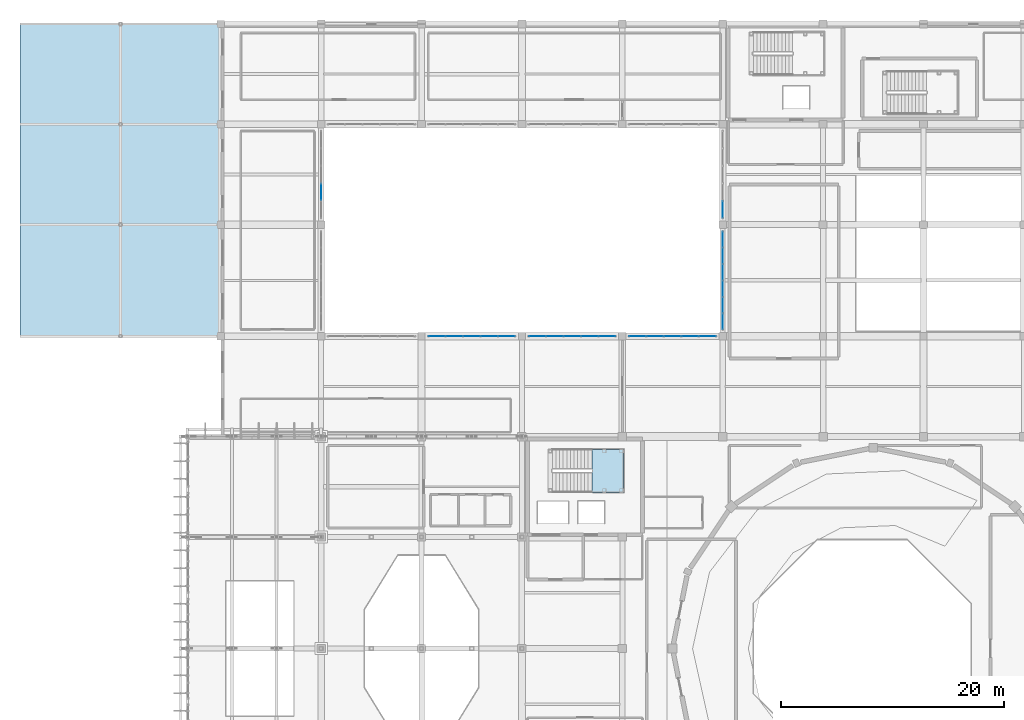
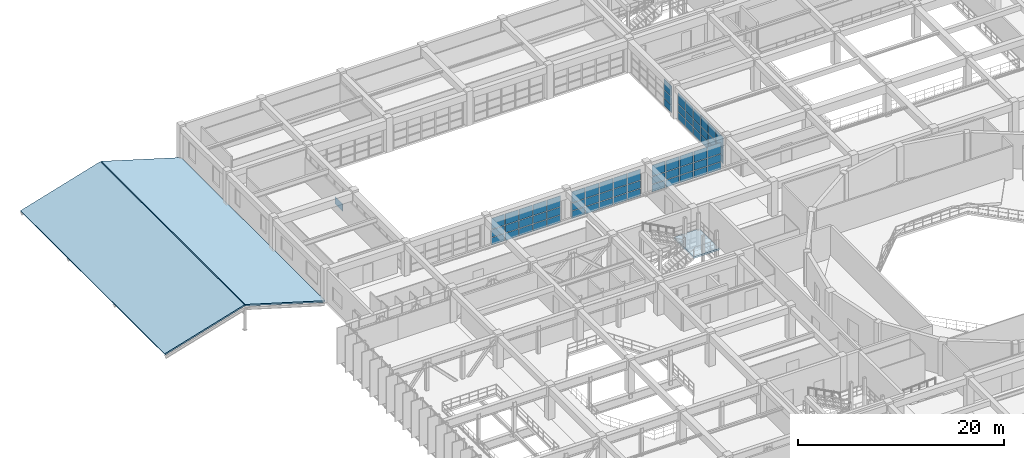
# One storey, part 95 of 130: 67 plates, 3 slabs, 7 elements without a shape of their own.
"""IFC4 building model written with IfcOpenShell, lengths in metres."""

from ifc_helpers import new_model, si_unit, direction, frame, origin, origin_2d, place, context, subcontext, project, spatial, polyline, rectangle, outline, extrude, material, layer, layer_set, type_object, element, aggregate, save


model = new_model("IFC4")

# Units and contexts
model_context = context("Model", 3, precision=1e-05, world=origin(), true_north=direction((0.0, 1.0)))
body_context = subcontext(model_context, "Body", "Model", "MODEL_VIEW")
ifc_project = project(units=[si_unit("LENGTHUNIT", "METRE"), si_unit("AREAUNIT", "SQUARE_METRE"), si_unit("VOLUMEUNIT", "CUBIC_METRE"), si_unit("PLANEANGLEUNIT", "RADIAN"), si_unit("MASSUNIT", "GRAM", prefix="KILO")], contexts=[model_context])

# Site, building, storey
site_placement = place(None, origin())
site = spatial("IfcSite", under=ifc_project, at=site_placement, CompositionType="ELEMENT")
building_placement = place(site_placement, origin())
building = spatial("IfcBuilding", under=site, at=building_placement, Name="Miravela Opera House", CompositionType="ELEMENT")
storey_placement = place(building_placement, frame((0.0, 0.0, 9.52001953125)))
storey = spatial("IfcBuildingStorey", under=building, at=storey_placement, Name="L02", CompositionType="ELEMENT", Elevation=9.52001953125)

# Curtain wall, plates
ifc_material_1 = material(Name="Anodised architectural bronze aluminium 6063-T6", Category="aluminium")
curtain_wall_type = type_object("IfcCurtainWallType", Name="ARC-CW-05", PredefinedType="NOTDEFINED", material=ifc_material_1)
curtain_wall_1_placement = place(storey_placement, origin())
curtain_wall_1 = element("IfcCurtainWall", 1, at=curtain_wall_1_placement, inside=storey, type_object=curtain_wall_type, Name="Courtyard Arcade Curtain Wall CW-L02-091", PredefinedType="NOTDEFINED")
ifc_material_2 = material(Name="Acoustic laminated low-E insulating glass", Category="glass")
ifc_layer_1 = layer(ifc_material_2, 0.028076171875)
ifc_layer_set_1 = layer_set([ifc_layer_1])
plate_type = type_object("IfcPlateType", Name="ARC-CWP-28", PredefinedType="CURTAIN_PANEL", material=ifc_layer_set_1)
plate_1_placement = place(storey_placement, frame((37.37890625, 84.0, 0.06005859375), z_axis=(0.0, 0.0, 1.0), x_axis=(1.0, 0.0, 0.0)))
plate_1 = element("IfcPlate", 2, at=plate_1_placement, type_object=plate_type, Name="CW-05 panel 1.1", PredefinedType="CURTAIN_PANEL", context=body_context, shape_type="SweptSolid", body=[
    extrude(rectangle(XDim=1.47802734375, YDim=0.028076171875, at=origin_2d()), origin(), (0.0, 0.0, 1.0), 0.860107421875),
])
plate_2_placement = place(storey_placement, frame((37.37890625, 84.0, 0.97998046875), z_axis=(0.0, 0.0, 1.0), x_axis=(1.0, 0.0, 0.0)))
plate_2 = element("IfcPlate", 3, at=plate_2_placement, type_object=plate_type, Name="CW-05 panel 1.2", PredefinedType="CURTAIN_PANEL", context=body_context, shape_type="SweptSolid", body=[
    extrude(rectangle(XDim=1.47802734375, YDim=0.028076171875, at=origin_2d()), origin(), (0.0, 0.0, 1.0), 0.898193359375),
])
plate_3_placement = place(storey_placement, frame((37.37890625, 84.0, 1.93798828125), z_axis=(0.0, 0.0, 1.0), x_axis=(1.0, 0.0, 0.0)))
plate_3 = element("IfcPlate", 4, at=plate_3_placement, type_object=plate_type, Name="CW-05 panel 1.3", PredefinedType="CURTAIN_PANEL", context=body_context, shape_type="SweptSolid", body=[
    extrude(rectangle(XDim=1.47802734375, YDim=0.028076171875, at=origin_2d()), origin(), (0.0, 0.0, 1.0), 1.291748046875),
])
plate_4_placement = place(storey_placement, frame((38.931884765625, 84.0, 0.06005859375), z_axis=(0.0, 0.0, 1.0), x_axis=(1.0, 0.0, 0.0)))
plate_4 = element("IfcPlate", 5, at=plate_4_placement, type_object=plate_type, Name="CW-05 panel 2.1", PredefinedType="CURTAIN_PANEL", context=body_context, shape_type="SweptSolid", body=[
    extrude(rectangle(XDim=1.508056640625, YDim=0.028076171875, at=origin_2d()), origin(), (0.0, 0.0, 1.0), 0.860107421875),
])
plate_5_placement = place(storey_placement, frame((38.931884765625, 84.0, 0.97998046875), z_axis=(0.0, 0.0, 1.0), x_axis=(1.0, 0.0, 0.0)))
plate_5 = element("IfcPlate", 6, at=plate_5_placement, type_object=plate_type, Name="CW-05 panel 2.2", PredefinedType="CURTAIN_PANEL", context=body_context, shape_type="SweptSolid", body=[
    extrude(rectangle(XDim=1.508056640625, YDim=0.028076171875, at=origin_2d()), origin(), (0.0, 0.0, 1.0), 0.898193359375),
])
plate_6_placement = place(storey_placement, frame((38.931884765625, 84.0, 1.93798828125), z_axis=(0.0, 0.0, 1.0), x_axis=(1.0, 0.0, 0.0)))
plate_6 = element("IfcPlate", 7, at=plate_6_placement, type_object=plate_type, Name="CW-05 panel 2.3", PredefinedType="CURTAIN_PANEL", context=body_context, shape_type="SweptSolid", body=[
    extrude(rectangle(XDim=1.508056640625, YDim=0.028076171875, at=origin_2d()), origin(), (0.0, 0.0, 1.0), 1.291748046875),
])
plate_7_placement = place(storey_placement, frame((40.5, 84.0, 0.06005859375), z_axis=(0.0, 0.0, 1.0), x_axis=(1.0, 0.0, 0.0)))
plate_7 = element("IfcPlate", 8, at=plate_7_placement, type_object=plate_type, Name="CW-05 panel 3.1", PredefinedType="CURTAIN_PANEL", context=body_context, shape_type="SweptSolid", body=[
    extrude(rectangle(XDim=1.508056640625, YDim=0.028076171875, at=origin_2d()), origin(), (0.0, 0.0, 1.0), 0.860107421875),
])
plate_8_placement = place(storey_placement, frame((40.5, 84.0, 0.97998046875), z_axis=(0.0, 0.0, 1.0), x_axis=(1.0, 0.0, 0.0)))
plate_8 = element("IfcPlate", 9, at=plate_8_placement, type_object=plate_type, Name="CW-05 panel 3.2", PredefinedType="CURTAIN_PANEL", context=body_context, shape_type="SweptSolid", body=[
    extrude(rectangle(XDim=1.508056640625, YDim=0.028076171875, at=origin_2d()), origin(), (0.0, 0.0, 1.0), 0.898193359375),
])
plate_9_placement = place(storey_placement, frame((40.5, 84.0, 1.93798828125), z_axis=(0.0, 0.0, 1.0), x_axis=(1.0, 0.0, 0.0)))
plate_9 = element("IfcPlate", 10, at=plate_9_placement, type_object=plate_type, Name="CW-05 panel 3.3", PredefinedType="CURTAIN_PANEL", context=body_context, shape_type="SweptSolid", body=[
    extrude(rectangle(XDim=1.508056640625, YDim=0.028076171875, at=origin_2d()), origin(), (0.0, 0.0, 1.0), 1.291748046875),
])
plate_10_placement = place(storey_placement, frame((42.068115234375, 84.0, 0.06005859375), z_axis=(0.0, 0.0, 1.0), x_axis=(1.0, 0.0, 0.0)))
plate_10 = element("IfcPlate", 11, at=plate_10_placement, type_object=plate_type, Name="CW-05 panel 4.1", PredefinedType="CURTAIN_PANEL", context=body_context, shape_type="SweptSolid", body=[
    extrude(rectangle(XDim=1.508056640625, YDim=0.028076171875, at=origin_2d()), origin(), (0.0, 0.0, 1.0), 0.860107421875),
])
plate_11_placement = place(storey_placement, frame((42.068115234375, 84.0, 0.97998046875), z_axis=(0.0, 0.0, 1.0), x_axis=(1.0, 0.0, 0.0)))
plate_11 = element("IfcPlate", 12, at=plate_11_placement, type_object=plate_type, Name="CW-05 panel 4.2", PredefinedType="CURTAIN_PANEL", context=body_context, shape_type="SweptSolid", body=[
    extrude(rectangle(XDim=1.508056640625, YDim=0.028076171875, at=origin_2d()), origin(), (0.0, 0.0, 1.0), 0.898193359375),
])
plate_12_placement = place(storey_placement, frame((42.068115234375, 84.0, 1.93798828125), z_axis=(0.0, 0.0, 1.0), x_axis=(1.0, 0.0, 0.0)))
plate_12 = element("IfcPlate", 13, at=plate_12_placement, type_object=plate_type, Name="CW-05 panel 4.3", PredefinedType="CURTAIN_PANEL", context=body_context, shape_type="SweptSolid", body=[
    extrude(rectangle(XDim=1.508056640625, YDim=0.028076171875, at=origin_2d()), origin(), (0.0, 0.0, 1.0), 1.291748046875),
])
plate_13_placement = place(storey_placement, frame((43.62109375, 84.0, 0.06005859375), z_axis=(0.0, 0.0, 1.0), x_axis=(1.0, 0.0, 0.0)))
plate_13 = element("IfcPlate", 14, at=plate_13_placement, type_object=plate_type, Name="CW-05 panel 5.1", PredefinedType="CURTAIN_PANEL", context=body_context, shape_type="SweptSolid", body=[
    extrude(rectangle(XDim=1.47802734375, YDim=0.028076171875, at=origin_2d()), origin(), (0.0, 0.0, 1.0), 0.860107421875),
])
plate_14_placement = place(storey_placement, frame((43.62109375, 84.0, 0.97998046875), z_axis=(0.0, 0.0, 1.0), x_axis=(1.0, 0.0, 0.0)))
plate_14 = element("IfcPlate", 15, at=plate_14_placement, type_object=plate_type, Name="CW-05 panel 5.2", PredefinedType="CURTAIN_PANEL", context=body_context, shape_type="SweptSolid", body=[
    extrude(rectangle(XDim=1.47802734375, YDim=0.028076171875, at=origin_2d()), origin(), (0.0, 0.0, 1.0), 0.898193359375),
])
plate_15_placement = place(storey_placement, frame((43.62109375, 84.0, 1.93798828125), z_axis=(0.0, 0.0, 1.0), x_axis=(1.0, 0.0, 0.0)))
plate_15 = element("IfcPlate", 16, at=plate_15_placement, type_object=plate_type, Name="CW-05 panel 5.3", PredefinedType="CURTAIN_PANEL", context=body_context, shape_type="SweptSolid", body=[
    extrude(rectangle(XDim=1.47802734375, YDim=0.028076171875, at=origin_2d()), origin(), (0.0, 0.0, 1.0), 1.291748046875),
])
aggregate(curtain_wall_1, [plate_1, plate_2, plate_3, plate_4, plate_5, plate_6, plate_7, plate_8, plate_9, plate_10, plate_11, plate_12, plate_13, plate_14, plate_15])

curtain_wall_2_placement = place(storey_placement, origin())
curtain_wall_2 = element("IfcCurtainWall", 17, at=curtain_wall_2_placement, inside=storey, type_object=curtain_wall_type, Name="Courtyard Arcade Curtain Wall CW-L02-093", PredefinedType="NOTDEFINED")
plate_16_placement = place(storey_placement, frame((46.37890625, 84.0, 0.06005859375), z_axis=(0.0, 0.0, 1.0), x_axis=(1.0, 0.0, 0.0)))
plate_16 = element("IfcPlate", 18, at=plate_16_placement, type_object=plate_type, Name="CW-05 panel 1.1", PredefinedType="CURTAIN_PANEL", context=body_context, shape_type="SweptSolid", body=[
    extrude(rectangle(XDim=1.47802734375, YDim=0.028076171875, at=origin_2d()), origin(), (0.0, 0.0, 1.0), 0.860107421875),
])
plate_17_placement = place(storey_placement, frame((46.37890625, 84.0, 0.97998046875), z_axis=(0.0, 0.0, 1.0), x_axis=(1.0, 0.0, 0.0)))
plate_17 = element("IfcPlate", 19, at=plate_17_placement, type_object=plate_type, Name="CW-05 panel 1.2", PredefinedType="CURTAIN_PANEL", context=body_context, shape_type="SweptSolid", body=[
    extrude(rectangle(XDim=1.47802734375, YDim=0.028076171875, at=origin_2d()), origin(), (0.0, 0.0, 1.0), 0.898193359375),
])
plate_18_placement = place(storey_placement, frame((46.37890625, 84.0, 1.93798828125), z_axis=(0.0, 0.0, 1.0), x_axis=(1.0, 0.0, 0.0)))
plate_18 = element("IfcPlate", 20, at=plate_18_placement, type_object=plate_type, Name="CW-05 panel 1.3", PredefinedType="CURTAIN_PANEL", context=body_context, shape_type="SweptSolid", body=[
    extrude(rectangle(XDim=1.47802734375, YDim=0.028076171875, at=origin_2d()), origin(), (0.0, 0.0, 1.0), 1.291748046875),
])
plate_19_placement = place(storey_placement, frame((47.931884765625, 84.0, 0.06005859375), z_axis=(0.0, 0.0, 1.0), x_axis=(1.0, 0.0, 0.0)))
plate_19 = element("IfcPlate", 21, at=plate_19_placement, type_object=plate_type, Name="CW-05 panel 2.1", PredefinedType="CURTAIN_PANEL", context=body_context, shape_type="SweptSolid", body=[
    extrude(rectangle(XDim=1.508056640625, YDim=0.028076171875, at=origin_2d()), origin(), (0.0, 0.0, 1.0), 0.860107421875),
])
plate_20_placement = place(storey_placement, frame((47.931884765625, 84.0, 0.97998046875), z_axis=(0.0, 0.0, 1.0), x_axis=(1.0, 0.0, 0.0)))
plate_20 = element("IfcPlate", 22, at=plate_20_placement, type_object=plate_type, Name="CW-05 panel 2.2", PredefinedType="CURTAIN_PANEL", context=body_context, shape_type="SweptSolid", body=[
    extrude(rectangle(XDim=1.508056640625, YDim=0.028076171875, at=origin_2d()), origin(), (0.0, 0.0, 1.0), 0.898193359375),
])
plate_21_placement = place(storey_placement, frame((47.931884765625, 84.0, 1.93798828125), z_axis=(0.0, 0.0, 1.0), x_axis=(1.0, 0.0, 0.0)))
plate_21 = element("IfcPlate", 23, at=plate_21_placement, type_object=plate_type, Name="CW-05 panel 2.3", PredefinedType="CURTAIN_PANEL", context=body_context, shape_type="SweptSolid", body=[
    extrude(rectangle(XDim=1.508056640625, YDim=0.028076171875, at=origin_2d()), origin(), (0.0, 0.0, 1.0), 1.291748046875),
])
plate_22_placement = place(storey_placement, frame((49.5, 84.0, 0.06005859375), z_axis=(0.0, 0.0, 1.0), x_axis=(1.0, 0.0, 0.0)))
plate_22 = element("IfcPlate", 24, at=plate_22_placement, type_object=plate_type, Name="CW-05 panel 3.1", PredefinedType="CURTAIN_PANEL", context=body_context, shape_type="SweptSolid", body=[
    extrude(rectangle(XDim=1.508056640625, YDim=0.028076171875, at=origin_2d()), origin(), (0.0, 0.0, 1.0), 0.860107421875),
])
plate_23_placement = place(storey_placement, frame((49.5, 84.0, 0.97998046875), z_axis=(0.0, 0.0, 1.0), x_axis=(1.0, 0.0, 0.0)))
plate_23 = element("IfcPlate", 25, at=plate_23_placement, type_object=plate_type, Name="CW-05 panel 3.2", PredefinedType="CURTAIN_PANEL", context=body_context, shape_type="SweptSolid", body=[
    extrude(rectangle(XDim=1.508056640625, YDim=0.028076171875, at=origin_2d()), origin(), (0.0, 0.0, 1.0), 0.898193359375),
])
plate_24_placement = place(storey_placement, frame((49.5, 84.0, 1.93798828125), z_axis=(0.0, 0.0, 1.0), x_axis=(1.0, 0.0, 0.0)))
plate_24 = element("IfcPlate", 26, at=plate_24_placement, type_object=plate_type, Name="CW-05 panel 3.3", PredefinedType="CURTAIN_PANEL", context=body_context, shape_type="SweptSolid", body=[
    extrude(rectangle(XDim=1.508056640625, YDim=0.028076171875, at=origin_2d()), origin(), (0.0, 0.0, 1.0), 1.291748046875),
])
plate_25_placement = place(storey_placement, frame((51.068115234375, 84.0, 0.06005859375), z_axis=(0.0, 0.0, 1.0), x_axis=(1.0, 0.0, 0.0)))
plate_25 = element("IfcPlate", 27, at=plate_25_placement, type_object=plate_type, Name="CW-05 panel 4.1", PredefinedType="CURTAIN_PANEL", context=body_context, shape_type="SweptSolid", body=[
    extrude(rectangle(XDim=1.508056640625, YDim=0.028076171875, at=origin_2d()), origin(), (0.0, 0.0, 1.0), 0.860107421875),
])
plate_26_placement = place(storey_placement, frame((51.068115234375, 84.0, 0.97998046875), z_axis=(0.0, 0.0, 1.0), x_axis=(1.0, 0.0, 0.0)))
plate_26 = element("IfcPlate", 28, at=plate_26_placement, type_object=plate_type, Name="CW-05 panel 4.2", PredefinedType="CURTAIN_PANEL", context=body_context, shape_type="SweptSolid", body=[
    extrude(rectangle(XDim=1.508056640625, YDim=0.028076171875, at=origin_2d()), origin(), (0.0, 0.0, 1.0), 0.898193359375),
])
plate_27_placement = place(storey_placement, frame((51.068115234375, 84.0, 1.93798828125), z_axis=(0.0, 0.0, 1.0), x_axis=(1.0, 0.0, 0.0)))
plate_27 = element("IfcPlate", 29, at=plate_27_placement, type_object=plate_type, Name="CW-05 panel 4.3", PredefinedType="CURTAIN_PANEL", context=body_context, shape_type="SweptSolid", body=[
    extrude(rectangle(XDim=1.508056640625, YDim=0.028076171875, at=origin_2d()), origin(), (0.0, 0.0, 1.0), 1.291748046875),
])
plate_28_placement = place(storey_placement, frame((52.62109375, 84.0, 0.06005859375), z_axis=(0.0, 0.0, 1.0), x_axis=(1.0, 0.0, 0.0)))
plate_28 = element("IfcPlate", 30, at=plate_28_placement, type_object=plate_type, Name="CW-05 panel 5.1", PredefinedType="CURTAIN_PANEL", context=body_context, shape_type="SweptSolid", body=[
    extrude(rectangle(XDim=1.47802734375, YDim=0.028076171875, at=origin_2d()), origin(), (0.0, 0.0, 1.0), 0.860107421875),
])
plate_29_placement = place(storey_placement, frame((52.62109375, 84.0, 0.97998046875), z_axis=(0.0, 0.0, 1.0), x_axis=(1.0, 0.0, 0.0)))
plate_29 = element("IfcPlate", 31, at=plate_29_placement, type_object=plate_type, Name="CW-05 panel 5.2", PredefinedType="CURTAIN_PANEL", context=body_context, shape_type="SweptSolid", body=[
    extrude(rectangle(XDim=1.47802734375, YDim=0.028076171875, at=origin_2d()), origin(), (0.0, 0.0, 1.0), 0.898193359375),
])
plate_30_placement = place(storey_placement, frame((52.62109375, 84.0, 1.93798828125), z_axis=(0.0, 0.0, 1.0), x_axis=(1.0, 0.0, 0.0)))
plate_30 = element("IfcPlate", 32, at=plate_30_placement, type_object=plate_type, Name="CW-05 panel 5.3", PredefinedType="CURTAIN_PANEL", context=body_context, shape_type="SweptSolid", body=[
    extrude(rectangle(XDim=1.47802734375, YDim=0.028076171875, at=origin_2d()), origin(), (0.0, 0.0, 1.0), 1.291748046875),
])
aggregate(curtain_wall_2, [plate_16, plate_17, plate_18, plate_19, plate_20, plate_21, plate_22, plate_23, plate_24, plate_25, plate_26, plate_27, plate_28, plate_29, plate_30])

curtain_wall_3_placement = place(storey_placement, origin())
curtain_wall_3 = element("IfcCurtainWall", 33, at=curtain_wall_3_placement, inside=storey, type_object=curtain_wall_type, Name="Courtyard Arcade Curtain Wall CW-L02-095", PredefinedType="NOTDEFINED")
plate_31_placement = place(storey_placement, frame((55.37890625, 84.0, 0.06005859375), z_axis=(0.0, 0.0, 1.0), x_axis=(1.0, 0.0, 0.0)))
plate_31 = element("IfcPlate", 34, at=plate_31_placement, type_object=plate_type, Name="CW-05 panel 1.1", PredefinedType="CURTAIN_PANEL", context=body_context, shape_type="SweptSolid", body=[
    extrude(rectangle(XDim=1.47802734375, YDim=0.028076171875, at=origin_2d()), origin(), (0.0, 0.0, 1.0), 0.860107421875),
])
plate_32_placement = place(storey_placement, frame((55.37890625, 84.0, 0.97998046875), z_axis=(0.0, 0.0, 1.0), x_axis=(1.0, 0.0, 0.0)))
plate_32 = element("IfcPlate", 35, at=plate_32_placement, type_object=plate_type, Name="CW-05 panel 1.2", PredefinedType="CURTAIN_PANEL", context=body_context, shape_type="SweptSolid", body=[
    extrude(rectangle(XDim=1.47802734375, YDim=0.028076171875, at=origin_2d()), origin(), (0.0, 0.0, 1.0), 0.898193359375),
])
plate_33_placement = place(storey_placement, frame((55.37890625, 84.0, 1.93798828125), z_axis=(0.0, 0.0, 1.0), x_axis=(1.0, 0.0, 0.0)))
plate_33 = element("IfcPlate", 36, at=plate_33_placement, type_object=plate_type, Name="CW-05 panel 1.3", PredefinedType="CURTAIN_PANEL", context=body_context, shape_type="SweptSolid", body=[
    extrude(rectangle(XDim=1.47802734375, YDim=0.028076171875, at=origin_2d()), origin(), (0.0, 0.0, 1.0), 1.291748046875),
])
plate_34_placement = place(storey_placement, frame((56.931884765625, 84.0, 0.06005859375), z_axis=(0.0, 0.0, 1.0), x_axis=(1.0, 0.0, 0.0)))
plate_34 = element("IfcPlate", 37, at=plate_34_placement, type_object=plate_type, Name="CW-05 panel 2.1", PredefinedType="CURTAIN_PANEL", context=body_context, shape_type="SweptSolid", body=[
    extrude(rectangle(XDim=1.508056640625, YDim=0.028076171875, at=origin_2d()), origin(), (0.0, 0.0, 1.0), 0.860107421875),
])
plate_35_placement = place(storey_placement, frame((56.931884765625, 84.0, 0.97998046875), z_axis=(0.0, 0.0, 1.0), x_axis=(1.0, 0.0, 0.0)))
plate_35 = element("IfcPlate", 38, at=plate_35_placement, type_object=plate_type, Name="CW-05 panel 2.2", PredefinedType="CURTAIN_PANEL", context=body_context, shape_type="SweptSolid", body=[
    extrude(rectangle(XDim=1.508056640625, YDim=0.028076171875, at=origin_2d()), origin(), (0.0, 0.0, 1.0), 0.898193359375),
])
plate_36_placement = place(storey_placement, frame((56.931884765625, 84.0, 1.93798828125), z_axis=(0.0, 0.0, 1.0), x_axis=(1.0, 0.0, 0.0)))
plate_36 = element("IfcPlate", 39, at=plate_36_placement, type_object=plate_type, Name="CW-05 panel 2.3", PredefinedType="CURTAIN_PANEL", context=body_context, shape_type="SweptSolid", body=[
    extrude(rectangle(XDim=1.508056640625, YDim=0.028076171875, at=origin_2d()), origin(), (0.0, 0.0, 1.0), 1.291748046875),
])
plate_37_placement = place(storey_placement, frame((58.5, 84.0, 0.06005859375), z_axis=(0.0, 0.0, 1.0), x_axis=(1.0, 0.0, 0.0)))
plate_37 = element("IfcPlate", 40, at=plate_37_placement, type_object=plate_type, Name="CW-05 panel 3.1", PredefinedType="CURTAIN_PANEL", context=body_context, shape_type="SweptSolid", body=[
    extrude(rectangle(XDim=1.508056640625, YDim=0.028076171875, at=origin_2d()), origin(), (0.0, 0.0, 1.0), 0.860107421875),
])
plate_38_placement = place(storey_placement, frame((58.5, 84.0, 0.97998046875), z_axis=(0.0, 0.0, 1.0), x_axis=(1.0, 0.0, 0.0)))
plate_38 = element("IfcPlate", 41, at=plate_38_placement, type_object=plate_type, Name="CW-05 panel 3.2", PredefinedType="CURTAIN_PANEL", context=body_context, shape_type="SweptSolid", body=[
    extrude(rectangle(XDim=1.508056640625, YDim=0.028076171875, at=origin_2d()), origin(), (0.0, 0.0, 1.0), 0.898193359375),
])
plate_39_placement = place(storey_placement, frame((58.5, 84.0, 1.93798828125), z_axis=(0.0, 0.0, 1.0), x_axis=(1.0, 0.0, 0.0)))
plate_39 = element("IfcPlate", 42, at=plate_39_placement, type_object=plate_type, Name="CW-05 panel 3.3", PredefinedType="CURTAIN_PANEL", context=body_context, shape_type="SweptSolid", body=[
    extrude(rectangle(XDim=1.508056640625, YDim=0.028076171875, at=origin_2d()), origin(), (0.0, 0.0, 1.0), 1.291748046875),
])
plate_40_placement = place(storey_placement, frame((60.068115234375, 84.0, 0.06005859375), z_axis=(0.0, 0.0, 1.0), x_axis=(1.0, 0.0, 0.0)))
plate_40 = element("IfcPlate", 43, at=plate_40_placement, type_object=plate_type, Name="CW-05 panel 4.1", PredefinedType="CURTAIN_PANEL", context=body_context, shape_type="SweptSolid", body=[
    extrude(rectangle(XDim=1.508056640625, YDim=0.028076171875, at=origin_2d()), origin(), (0.0, 0.0, 1.0), 0.860107421875),
])
plate_41_placement = place(storey_placement, frame((60.068115234375, 84.0, 0.97998046875), z_axis=(0.0, 0.0, 1.0), x_axis=(1.0, 0.0, 0.0)))
plate_41 = element("IfcPlate", 44, at=plate_41_placement, type_object=plate_type, Name="CW-05 panel 4.2", PredefinedType="CURTAIN_PANEL", context=body_context, shape_type="SweptSolid", body=[
    extrude(rectangle(XDim=1.508056640625, YDim=0.028076171875, at=origin_2d()), origin(), (0.0, 0.0, 1.0), 0.898193359375),
])
plate_42_placement = place(storey_placement, frame((60.068115234375, 84.0, 1.93798828125), z_axis=(0.0, 0.0, 1.0), x_axis=(1.0, 0.0, 0.0)))
plate_42 = element("IfcPlate", 45, at=plate_42_placement, type_object=plate_type, Name="CW-05 panel 4.3", PredefinedType="CURTAIN_PANEL", context=body_context, shape_type="SweptSolid", body=[
    extrude(rectangle(XDim=1.508056640625, YDim=0.028076171875, at=origin_2d()), origin(), (0.0, 0.0, 1.0), 1.291748046875),
])
plate_43_placement = place(storey_placement, frame((61.62109375, 84.0, 0.06005859375), z_axis=(0.0, 0.0, 1.0), x_axis=(1.0, 0.0, 0.0)))
plate_43 = element("IfcPlate", 46, at=plate_43_placement, type_object=plate_type, Name="CW-05 panel 5.1", PredefinedType="CURTAIN_PANEL", context=body_context, shape_type="SweptSolid", body=[
    extrude(rectangle(XDim=1.47802734375, YDim=0.028076171875, at=origin_2d()), origin(), (0.0, 0.0, 1.0), 0.860107421875),
])
plate_44_placement = place(storey_placement, frame((61.62109375, 84.0, 0.97998046875), z_axis=(0.0, 0.0, 1.0), x_axis=(1.0, 0.0, 0.0)))
plate_44 = element("IfcPlate", 47, at=plate_44_placement, type_object=plate_type, Name="CW-05 panel 5.2", PredefinedType="CURTAIN_PANEL", context=body_context, shape_type="SweptSolid", body=[
    extrude(rectangle(XDim=1.47802734375, YDim=0.028076171875, at=origin_2d()), origin(), (0.0, 0.0, 1.0), 0.898193359375),
])
plate_45_placement = place(storey_placement, frame((61.62109375, 84.0, 1.93798828125), z_axis=(0.0, 0.0, 1.0), x_axis=(1.0, 0.0, 0.0)))
plate_45 = element("IfcPlate", 48, at=plate_45_placement, type_object=plate_type, Name="CW-05 panel 5.3", PredefinedType="CURTAIN_PANEL", context=body_context, shape_type="SweptSolid", body=[
    extrude(rectangle(XDim=1.47802734375, YDim=0.028076171875, at=origin_2d()), origin(), (0.0, 0.0, 1.0), 1.291748046875),
])
aggregate(curtain_wall_3, [plate_31, plate_32, plate_33, plate_34, plate_35, plate_36, plate_37, plate_38, plate_39, plate_40, plate_41, plate_42, plate_43, plate_44, plate_45])

# Curtain wall, plate
curtain_wall_4_placement = place(storey_placement, origin())
curtain_wall_4 = element("IfcCurtainWall", 49, at=curtain_wall_4_placement, inside=storey, type_object=curtain_wall_type, Name="Courtyard Arcade Curtain Wall CW-L02-098", PredefinedType="NOTDEFINED")
plate_46_placement = place(storey_placement, frame((27.0, 96.931884765625, 0.06005859375), z_axis=(0.0, 0.0, 1.0), x_axis=(0.0, 1.0, 0.0)))
plate_46 = element("IfcPlate", 50, at=plate_46_placement, type_object=plate_type, Name="CW-05 panel 2.1", PredefinedType="CURTAIN_PANEL", context=body_context, shape_type="SweptSolid", body=[
    extrude(rectangle(XDim=1.508056640625, YDim=0.028076171875, at=origin_2d()), origin(), (0.0, 0.0, 1.0), 0.860107421875),
])
aggregate(curtain_wall_4, [plate_46])

# Curtain wall, plates
curtain_wall_5_placement = place(storey_placement, origin())
curtain_wall_5 = element("IfcCurtainWall", 51, at=curtain_wall_5_placement, inside=storey, type_object=curtain_wall_type, Name="Courtyard Arcade Curtain Wall CW-L02-099", PredefinedType="NOTDEFINED")
plate_47_placement = place(storey_placement, frame((63.0, 85.331787109375, 0.06005859375), z_axis=(0.0, 0.0, 1.0), x_axis=(0.0, 1.0, 0.0)))
plate_47 = element("IfcPlate", 52, at=plate_47_placement, type_object=plate_type, Name="CW-05 panel 1.1", PredefinedType="CURTAIN_PANEL", context=body_context, shape_type="SweptSolid", body=[
    extrude(rectangle(XDim=1.38330078125, YDim=0.028076171875, at=origin_2d()), origin(), (0.0, 0.0, 1.0), 0.860107421875),
])
plate_48_placement = place(storey_placement, frame((63.0, 85.331787109375, 0.97998046875), z_axis=(0.0, 0.0, 1.0), x_axis=(0.0, 1.0, 0.0)))
plate_48 = element("IfcPlate", 53, at=plate_48_placement, type_object=plate_type, Name="CW-05 panel 1.2", PredefinedType="CURTAIN_PANEL", context=body_context, shape_type="SweptSolid", body=[
    extrude(rectangle(XDim=1.38330078125, YDim=0.028076171875, at=origin_2d()), origin(), (0.0, 0.0, 1.0), 0.898193359375),
])
plate_49_placement = place(storey_placement, frame((63.0, 85.331787109375, 1.93798828125), z_axis=(0.0, 0.0, 1.0), x_axis=(0.0, 1.0, 0.0)))
plate_49 = element("IfcPlate", 54, at=plate_49_placement, type_object=plate_type, Name="CW-05 panel 1.3", PredefinedType="CURTAIN_PANEL", context=body_context, shape_type="SweptSolid", body=[
    extrude(rectangle(XDim=1.38330078125, YDim=0.028076171875, at=origin_2d()), origin(), (0.0, 0.0, 1.0), 1.291748046875),
])
plate_50_placement = place(storey_placement, frame((63.0, 86.7900390625, 0.06005859375), z_axis=(0.0, 0.0, 1.0), x_axis=(0.0, 1.0, 0.0)))
plate_50 = element("IfcPlate", 55, at=plate_50_placement, type_object=plate_type, Name="CW-05 panel 2.1", PredefinedType="CURTAIN_PANEL", context=body_context, shape_type="SweptSolid", body=[
    extrude(rectangle(XDim=1.413330078125, YDim=0.028076171875, at=origin_2d()), origin(), (0.0, 0.0, 1.0), 0.860107421875),
])
plate_51_placement = place(storey_placement, frame((63.0, 86.7900390625, 0.97998046875), z_axis=(0.0, 0.0, 1.0), x_axis=(0.0, 1.0, 0.0)))
plate_51 = element("IfcPlate", 56, at=plate_51_placement, type_object=plate_type, Name="CW-05 panel 2.2", PredefinedType="CURTAIN_PANEL", context=body_context, shape_type="SweptSolid", body=[
    extrude(rectangle(XDim=1.413330078125, YDim=0.028076171875, at=origin_2d()), origin(), (0.0, 0.0, 1.0), 0.898193359375),
])
plate_52_placement = place(storey_placement, frame((63.0, 86.7900390625, 1.93798828125), z_axis=(0.0, 0.0, 1.0), x_axis=(0.0, 1.0, 0.0)))
plate_52 = element("IfcPlate", 57, at=plate_52_placement, type_object=plate_type, Name="CW-05 panel 2.3", PredefinedType="CURTAIN_PANEL", context=body_context, shape_type="SweptSolid", body=[
    extrude(rectangle(XDim=1.413330078125, YDim=0.028076171875, at=origin_2d()), origin(), (0.0, 0.0, 1.0), 1.291748046875),
])
plate_53_placement = place(storey_placement, frame((63.0, 88.263427734375, 0.06005859375), z_axis=(0.0, 0.0, 1.0), x_axis=(0.0, 1.0, 0.0)))
plate_53 = element("IfcPlate", 58, at=plate_53_placement, type_object=plate_type, Name="CW-05 panel 3.1", PredefinedType="CURTAIN_PANEL", context=body_context, shape_type="SweptSolid", body=[
    extrude(rectangle(XDim=1.413330078125, YDim=0.028076171875, at=origin_2d()), origin(), (0.0, 0.0, 1.0), 0.860107421875),
])
plate_54_placement = place(storey_placement, frame((63.0, 88.263427734375, 0.97998046875), z_axis=(0.0, 0.0, 1.0), x_axis=(0.0, 1.0, 0.0)))
plate_54 = element("IfcPlate", 59, at=plate_54_placement, type_object=plate_type, Name="CW-05 panel 3.2", PredefinedType="CURTAIN_PANEL", context=body_context, shape_type="SweptSolid", body=[
    extrude(rectangle(XDim=1.413330078125, YDim=0.028076171875, at=origin_2d()), origin(), (0.0, 0.0, 1.0), 0.898193359375),
])
plate_55_placement = place(storey_placement, frame((63.0, 88.263427734375, 1.93798828125), z_axis=(0.0, 0.0, 1.0), x_axis=(0.0, 1.0, 0.0)))
plate_55 = element("IfcPlate", 60, at=plate_55_placement, type_object=plate_type, Name="CW-05 panel 3.3", PredefinedType="CURTAIN_PANEL", context=body_context, shape_type="SweptSolid", body=[
    extrude(rectangle(XDim=1.413330078125, YDim=0.028076171875, at=origin_2d()), origin(), (0.0, 0.0, 1.0), 1.291748046875),
])
plate_56_placement = place(storey_placement, frame((63.0, 89.736572265625, 0.06005859375), z_axis=(0.0, 0.0, 1.0), x_axis=(0.0, 1.0, 0.0)))
plate_56 = element("IfcPlate", 61, at=plate_56_placement, type_object=plate_type, Name="CW-05 panel 4.1", PredefinedType="CURTAIN_PANEL", context=body_context, shape_type="SweptSolid", body=[
    extrude(rectangle(XDim=1.413330078125, YDim=0.028076171875, at=origin_2d()), origin(), (0.0, 0.0, 1.0), 0.860107421875),
])
plate_57_placement = place(storey_placement, frame((63.0, 89.736572265625, 0.97998046875), z_axis=(0.0, 0.0, 1.0), x_axis=(0.0, 1.0, 0.0)))
plate_57 = element("IfcPlate", 62, at=plate_57_placement, type_object=plate_type, Name="CW-05 panel 4.2", PredefinedType="CURTAIN_PANEL", context=body_context, shape_type="SweptSolid", body=[
    extrude(rectangle(XDim=1.413330078125, YDim=0.028076171875, at=origin_2d()), origin(), (0.0, 0.0, 1.0), 0.898193359375),
])
plate_58_placement = place(storey_placement, frame((63.0, 89.736572265625, 1.93798828125), z_axis=(0.0, 0.0, 1.0), x_axis=(0.0, 1.0, 0.0)))
plate_58 = element("IfcPlate", 63, at=plate_58_placement, type_object=plate_type, Name="CW-05 panel 4.3", PredefinedType="CURTAIN_PANEL", context=body_context, shape_type="SweptSolid", body=[
    extrude(rectangle(XDim=1.413330078125, YDim=0.028076171875, at=origin_2d()), origin(), (0.0, 0.0, 1.0), 1.291748046875),
])
plate_59_placement = place(storey_placement, frame((63.0, 91.2099609375, 0.06005859375), z_axis=(0.0, 0.0, 1.0), x_axis=(0.0, 1.0, 0.0)))
plate_59 = element("IfcPlate", 64, at=plate_59_placement, type_object=plate_type, Name="CW-05 panel 5.1", PredefinedType="CURTAIN_PANEL", context=body_context, shape_type="SweptSolid", body=[
    extrude(rectangle(XDim=1.413330078125, YDim=0.028076171875, at=origin_2d()), origin(), (0.0, 0.0, 1.0), 0.860107421875),
])
plate_60_placement = place(storey_placement, frame((63.0, 91.2099609375, 0.97998046875), z_axis=(0.0, 0.0, 1.0), x_axis=(0.0, 1.0, 0.0)))
plate_60 = element("IfcPlate", 65, at=plate_60_placement, type_object=plate_type, Name="CW-05 panel 5.2", PredefinedType="CURTAIN_PANEL", context=body_context, shape_type="SweptSolid", body=[
    extrude(rectangle(XDim=1.413330078125, YDim=0.028076171875, at=origin_2d()), origin(), (0.0, 0.0, 1.0), 0.898193359375),
])
plate_61_placement = place(storey_placement, frame((63.0, 91.2099609375, 1.93798828125), z_axis=(0.0, 0.0, 1.0), x_axis=(0.0, 1.0, 0.0)))
plate_61 = element("IfcPlate", 66, at=plate_61_placement, type_object=plate_type, Name="CW-05 panel 5.3", PredefinedType="CURTAIN_PANEL", context=body_context, shape_type="SweptSolid", body=[
    extrude(rectangle(XDim=1.413330078125, YDim=0.028076171875, at=origin_2d()), origin(), (0.0, 0.0, 1.0), 1.291748046875),
])
plate_62_placement = place(storey_placement, frame((63.0, 92.668212890625, 0.06005859375), z_axis=(0.0, 0.0, 1.0), x_axis=(0.0, 1.0, 0.0)))
plate_62 = element("IfcPlate", 67, at=plate_62_placement, type_object=plate_type, Name="CW-05 panel 6.1", PredefinedType="CURTAIN_PANEL", context=body_context, shape_type="SweptSolid", body=[
    extrude(rectangle(XDim=1.38330078125, YDim=0.028076171875, at=origin_2d()), origin(), (0.0, 0.0, 1.0), 0.860107421875),
])
plate_63_placement = place(storey_placement, frame((63.0, 92.668212890625, 0.97998046875), z_axis=(0.0, 0.0, 1.0), x_axis=(0.0, 1.0, 0.0)))
plate_63 = element("IfcPlate", 68, at=plate_63_placement, type_object=plate_type, Name="CW-05 panel 6.2", PredefinedType="CURTAIN_PANEL", context=body_context, shape_type="SweptSolid", body=[
    extrude(rectangle(XDim=1.38330078125, YDim=0.028076171875, at=origin_2d()), origin(), (0.0, 0.0, 1.0), 0.898193359375),
])
plate_64_placement = place(storey_placement, frame((63.0, 92.668212890625, 1.93798828125), z_axis=(0.0, 0.0, 1.0), x_axis=(0.0, 1.0, 0.0)))
plate_64 = element("IfcPlate", 69, at=plate_64_placement, type_object=plate_type, Name="CW-05 panel 6.3", PredefinedType="CURTAIN_PANEL", context=body_context, shape_type="SweptSolid", body=[
    extrude(rectangle(XDim=1.38330078125, YDim=0.028076171875, at=origin_2d()), origin(), (0.0, 0.0, 1.0), 1.291748046875),
])
aggregate(curtain_wall_5, [plate_47, plate_48, plate_49, plate_50, plate_51, plate_52, plate_53, plate_54, plate_55, plate_56, plate_57, plate_58, plate_59, plate_60, plate_61, plate_62, plate_63, plate_64])

curtain_wall_6_placement = place(storey_placement, origin())
curtain_wall_6 = element("IfcCurtainWall", 70, at=curtain_wall_6_placement, inside=storey, type_object=curtain_wall_type, Name="Courtyard Arcade Curtain Wall CW-L02-100", PredefinedType="NOTDEFINED")
plate_65_placement = place(storey_placement, frame((63.0, 95.37890625, 0.06005859375), z_axis=(0.0, 0.0, 1.0), x_axis=(0.0, 1.0, 0.0)))
plate_65 = element("IfcPlate", 71, at=plate_65_placement, type_object=plate_type, Name="CW-05 panel 1.1", PredefinedType="CURTAIN_PANEL", context=body_context, shape_type="SweptSolid", body=[
    extrude(rectangle(XDim=1.47802734375, YDim=0.028076171875, at=origin_2d()), origin(), (0.0, 0.0, 1.0), 0.860107421875),
])
plate_66_placement = place(storey_placement, frame((63.0, 95.37890625, 0.97998046875), z_axis=(0.0, 0.0, 1.0), x_axis=(0.0, 1.0, 0.0)))
plate_66 = element("IfcPlate", 72, at=plate_66_placement, type_object=plate_type, Name="CW-05 panel 1.2", PredefinedType="CURTAIN_PANEL", context=body_context, shape_type="SweptSolid", body=[
    extrude(rectangle(XDim=1.47802734375, YDim=0.028076171875, at=origin_2d()), origin(), (0.0, 0.0, 1.0), 0.898193359375),
])
plate_67_placement = place(storey_placement, frame((63.0, 95.37890625, 1.93798828125), z_axis=(0.0, 0.0, 1.0), x_axis=(0.0, 1.0, 0.0)))
plate_67 = element("IfcPlate", 73, at=plate_67_placement, type_object=plate_type, Name="CW-05 panel 1.3", PredefinedType="CURTAIN_PANEL", context=body_context, shape_type="SweptSolid", body=[
    extrude(rectangle(XDim=1.47802734375, YDim=0.028076171875, at=origin_2d()), origin(), (0.0, 0.0, 1.0), 1.291748046875),
])
aggregate(curtain_wall_6, [plate_65, plate_66, plate_67])

# Stair, slab
ifc_material_3 = material(Name="Concrete C35/45", Category="concrete")
stair_type = type_object("IfcStairType", Name="ARC-STAIR-CORE-1680", PredefinedType="HALF_TURN_STAIR", material=ifc_material_3)
stair_placement = place(storey_placement, origin())
stair = element("IfcStair", 74, at=stair_placement, inside=storey, type_object=stair_type, Name="L02 Core K1 North Foyer and Firefighting Core Exit Stair ST-01", PredefinedType="HALF_TURN_STAIR")
ifc_layer_2 = layer(ifc_material_3, 0.199951171875)
ifc_layer_set_2 = layer_set([ifc_layer_2])
slab_type_1 = type_object("IfcSlabType", Name="ARC-LANDING-200", PredefinedType="LANDING", material=ifc_layer_set_2)
slab_placement = place(storey_placement, frame((0.0, 0.0, 1.840087890625)))
slab = element("IfcSlab", 75, at=slab_placement, type_object=slab_type_1, Name="ST-01 landing 1", PredefinedType="LANDING", context=body_context, shape_type="SweptSolid", body=[
    extrude(outline(polyline([(51.260009765625, 70.0), (54.10009765625, 70.0), (54.10009765625, 73.8798828125), (51.260009765625, 73.8798828125), (51.260009765625, 70.0)])), origin(), (0.0, 0.0, 1.0), 0.199951171875),
])
aggregate(stair, [slab])

# Slabs
ifc_layer_3 = layer(ifc_material_3, 0.169921875)
ifc_layer_set_3 = layer_set([ifc_layer_3])
slab_type_2 = type_object("IfcSlabType", Name="STR-ROOF-TILE-170", PredefinedType="ROOF", material=ifc_layer_set_3)
for number, where, z_axis, x_axis, name in (
    (76, (0.0, 84.0, 0.0), (-0.28735508066, 0.0, 0.957824126664), (0.0, 1.0, 0.0), "Pitched Clay Barrel-Tile Roof Slab ROOF-V5-NORTH Slope 1"),
    (77, (18.0, 112.0, 0.0), (0.28735508066, 0.0, 0.957824126664), (0.0, -1.0, 0.0), "Pitched Clay Barrel-Tile Roof Slab ROOF-V5-NORTH Slope 2"),
):
    element("IfcSlab", number, at=place(storey_placement, frame(where, z_axis=z_axis, x_axis=x_axis)), inside=storey, type_object=slab_type_2, Name=name, PredefinedType="ROOF", context=body_context, shape_type="SweptSolid", body=[
        extrude(outline(polyline([(0.0, 0.0), (28.0, 0.0), (28.0, -9.338946587754467), (0.0, -9.338946587754467), (0.0, 0.0)])), origin(), (0.0, 0.0, -1.0), 0.169921875),
    ])

save(model, "model.ifc")
